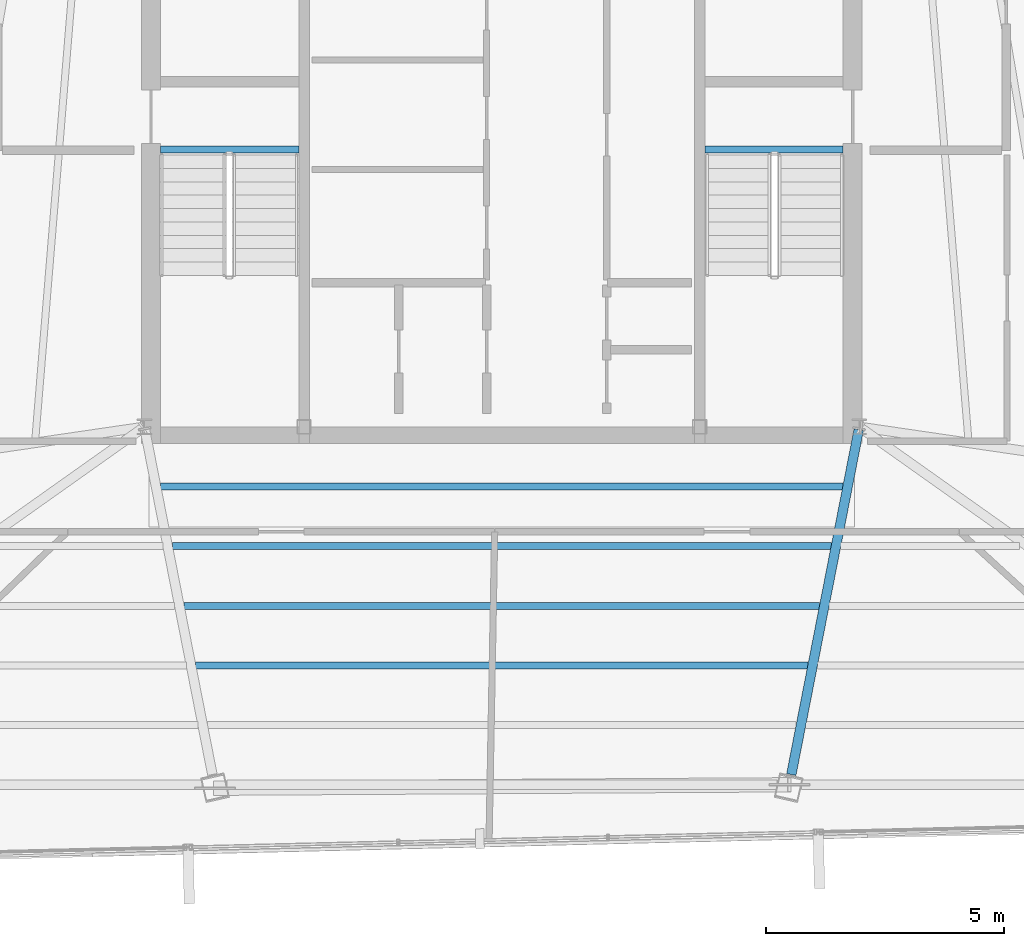
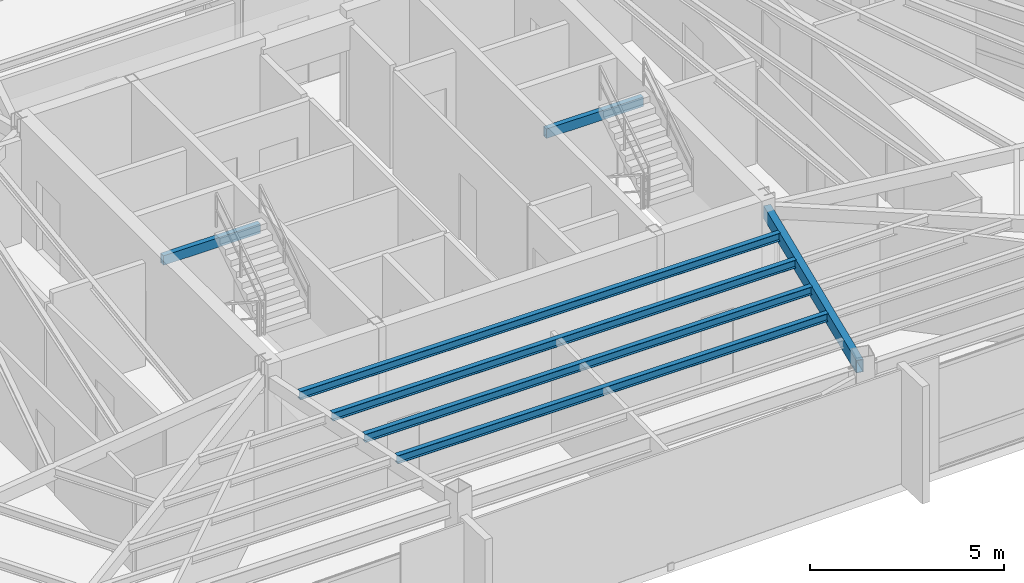
# One storey, part 16 of 44: 7 beams.
"""IFC4 building model written with IfcOpenShell, lengths in metres."""

from ifc_helpers import new_model, si_unit, direction, frame, origin, origin_2d, place, context, subcontext, project, spatial, hollow_rectangle, i_section, extrude, source, transform, mapped, material, material_profile, profile_set, type_object, type_shapes, element, save


model = new_model("IFC4")

# Units and contexts
model_context = context("Model", 3, precision=1e-05, world=origin(), true_north=direction((0.0, 1.0)))
body_context = subcontext(model_context, "Body", "Model", "MODEL_VIEW")
ifc_project = project(units=[si_unit("LENGTHUNIT", "METRE"), si_unit("AREAUNIT", "SQUARE_METRE"), si_unit("VOLUMEUNIT", "CUBIC_METRE"), si_unit("PLANEANGLEUNIT", "RADIAN"), si_unit("MASSUNIT", "GRAM", prefix="KILO")], contexts=[model_context])

# Site, building, storey
site_placement = place(None, origin())
site = spatial("IfcSite", under=ifc_project, at=site_placement, CompositionType="ELEMENT")
building_placement = place(site_placement, origin())
building = spatial("IfcBuilding", under=site, at=building_placement, Name="Caelisora Broadcast Tower", CompositionType="ELEMENT")
storey_placement = place(building_placement, frame((0.0, 0.0, 280.949951171875)))
storey = spatial("IfcBuildingStorey", under=building, at=storey_placement, Name="L74", CompositionType="ELEMENT", Elevation=280.949951171875)

# Beams
ifc_material_1 = material(Name="Steel Grade 350 (AS/NZS 1163 C350L0)", Category="steel")
ifc_material_profile_1 = material_profile(ifc_material_1, hollow_rectangle(XDim=0.14990234375, YDim=0.300048828125, WallThickness=0.010009765625, at=origin_2d()), Name="Steel Grade 350 (AS/NZS 1163 C350L0)")
ifc_profile_set_1 = profile_set([ifc_material_profile_1], Name="Steel Grade 350 (AS/NZS 1163 C350L0)")
beam_type_1 = type_object("IfcBeamType", Name="SB05", PredefinedType="JOIST", material=ifc_profile_set_1)
shared_shape_1 = source(origin(), body_context, "Body", "SweptSolid", [
    extrude(hollow_rectangle(XDim=0.14990234375, YDim=0.300048828125, WallThickness=0.010009765625, at=origin_2d()), origin(), (0.0, 0.0, 1.0), 2.89990234375),
])
type_shapes(beam_type_1, [shared_shape_1])
for number, where, z_axis, x_axis, name in (
    (1, (30.840087890625, 23.219970703125, 3.10009765625), (1.0, 0.0, 0.0), (0.0, 1.0, 0.0), "L74 beam SB05"),
    (2, (42.260009765625, 23.219970703125, 3.10009765625), (1.0, 0.0, 0.0), (0.0, 1.0, 0.0), "L74 beam SB05"),
):
    element("IfcBeam", number, at=place(storey_placement, frame(where, z_axis=z_axis, x_axis=x_axis)), inside=storey, type_object=beam_type_1, Name=name, PredefinedType="JOIST", context=body_context, shape_type="MappedRepresentation", body=[
        mapped(shared_shape_1, transform((0.0, 0.0, 0.0), scale=1.0)),
    ])
ifc_material_profile_2 = material_profile(ifc_material_1, hollow_rectangle(XDim=0.199951171875, YDim=0.39990234375, WallThickness=0.012451171875, at=origin_2d()), Name="Steel Grade 350 (AS/NZS 1163 C350L0)")
ifc_profile_set_2 = profile_set([ifc_material_profile_2], Name="Steel Grade 350 (AS/NZS 1163 C350L0)")
beam_type_2 = type_object("IfcBeamType", Name="PG07", PredefinedType="BEAM", material=ifc_profile_set_2)
shared_shape_2 = source(origin(), body_context, "Body", "SweptSolid", [
    extrude(hollow_rectangle(XDim=0.199951171875, YDim=0.39990234375, WallThickness=0.012451171875, at=origin_2d()), origin(), (0.0, 0.0, 1.0), 7.371826171875),
])
type_shapes(beam_type_2, [shared_shape_2])
beam_1_placement = place(storey_placement, frame((45.488525390625, 17.341064453125, 3.050048828125), z_axis=(-0.191955438604, -0.98140364254, 0.0), x_axis=(0.98140364254, -0.191955438604, 0.0)))
element("IfcBeam", 3, at=beam_1_placement, inside=storey, type_object=beam_type_2, Name="L74 beam PG07", PredefinedType="BEAM", context=body_context, shape_type="MappedRepresentation", body=[
    mapped(shared_shape_2, transform((0.0, 0.0, 0.0), scale=1.0)),
])
ifc_material_2 = material(Name="Steel Grade 350 (AS/NZS 3679.1)", Category="steel")
ifc_material_profile_3 = material_profile(ifc_material_2, i_section(OverallWidth=0.14599609375, OverallDepth=0.256103515625, WebThickness=0.00634765625, FlangeThickness=0.010986328125, at=origin_2d()), Name="Steel Grade 350 (AS/NZS 3679.1)")
ifc_profile_set_3 = profile_set([ifc_material_profile_3], Name="Steel Grade 350 (AS/NZS 3679.1)")
beam_type_3 = type_object("IfcBeamType", Name="SB04", PredefinedType="JOIST", material=ifc_profile_set_3)
shared_shape_3 = source(origin(), body_context, "Body", "SweptSolid", [
    extrude(i_section(OverallWidth=0.14599609375, OverallDepth=0.256103515625, WebThickness=0.00634765625, FlangeThickness=0.010986328125, at=origin_2d()), origin(), (0.0, 0.0, 1.0), 14.3125),
])
beam_2_placement = place(storey_placement, frame((30.84375, 16.1484375, 3.1220703125), z_axis=(1.0, 0.0, 0.0), x_axis=(0.0, 1.0, 0.0)))
element("IfcBeam", 4, at=beam_2_placement, inside=storey, type_object=beam_type_3, Name="L74 beam SB04", PredefinedType="JOIST", context=body_context, shape_type="MappedRepresentation", body=[
    mapped(shared_shape_3, transform((0.0, 0.0, 0.0), scale=1.0)),
])
shared_shape_4 = source(origin(), body_context, "Body", "SweptSolid", [
    extrude(i_section(OverallWidth=0.14599609375, OverallDepth=0.256103515625, WebThickness=0.00634765625, FlangeThickness=0.010986328125, at=origin_2d()), origin(), (0.0, 0.0, 1.0), 13.8232421875),
])
beam_3_placement = place(storey_placement, frame((31.08837890625, 14.896728515625, 3.1220703125), z_axis=(1.0, 0.0, 0.0), x_axis=(0.0, 1.0, 0.0)))
element("IfcBeam", 5, at=beam_3_placement, inside=storey, type_object=beam_type_3, Name="L74 beam SB04", PredefinedType="JOIST", context=body_context, shape_type="MappedRepresentation", body=[
    mapped(shared_shape_4, transform((0.0, 0.0, 0.0), scale=1.0)),
])
shared_shape_5 = source(origin(), body_context, "Body", "SweptSolid", [
    extrude(i_section(OverallWidth=0.14599609375, OverallDepth=0.256103515625, WebThickness=0.00634765625, FlangeThickness=0.010986328125, at=origin_2d()), origin(), (0.0, 0.0, 1.0), 13.33349609375),
])
beam_4_placement = place(storey_placement, frame((31.333251953125, 13.645263671875, 3.1220703125), z_axis=(1.0, 0.0, 0.0), x_axis=(0.0, 1.0, 0.0)))
element("IfcBeam", 6, at=beam_4_placement, inside=storey, type_object=beam_type_3, Name="L74 beam SB04", PredefinedType="JOIST", context=body_context, shape_type="MappedRepresentation", body=[
    mapped(shared_shape_5, transform((0.0, 0.0, 0.0), scale=1.0)),
])
shared_shape_6 = source(origin(), body_context, "Body", "SweptSolid", [
    extrude(i_section(OverallWidth=0.14599609375, OverallDepth=0.256103515625, WebThickness=0.00634765625, FlangeThickness=0.010986328125, at=origin_2d()), origin(), (0.0, 0.0, 1.0), 12.84375),
])
type_shapes(beam_type_3, [shared_shape_3, shared_shape_4, shared_shape_5, shared_shape_6])
beam_5_placement = place(storey_placement, frame((31.578125, 12.393798828125, 3.1220703125), z_axis=(1.0, 0.0, 0.0), x_axis=(0.0, 1.0, 0.0)))
element("IfcBeam", 7, at=beam_5_placement, inside=storey, type_object=beam_type_3, Name="L74 beam SB04", PredefinedType="JOIST", context=body_context, shape_type="MappedRepresentation", body=[
    mapped(shared_shape_6, transform((0.0, 0.0, 0.0), scale=1.0)),
])

save(model, "model.ifc")
